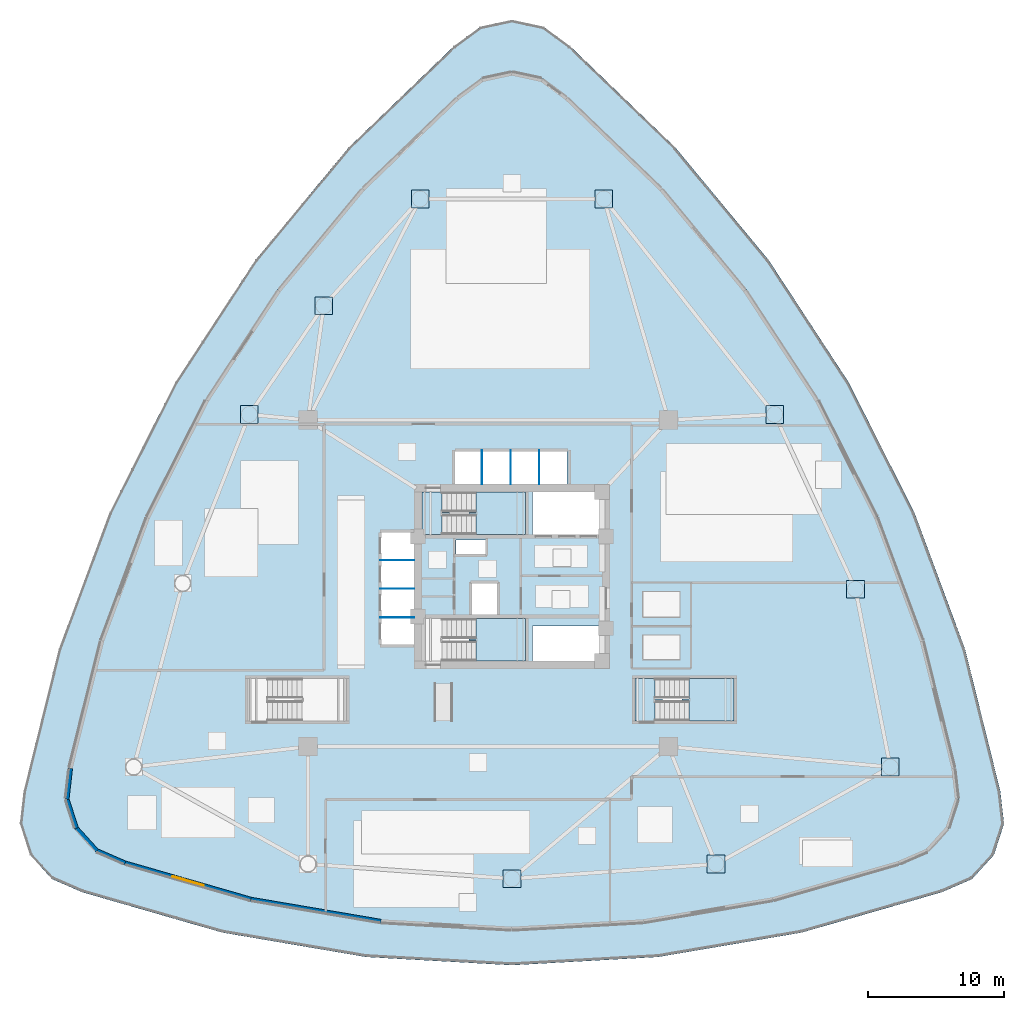
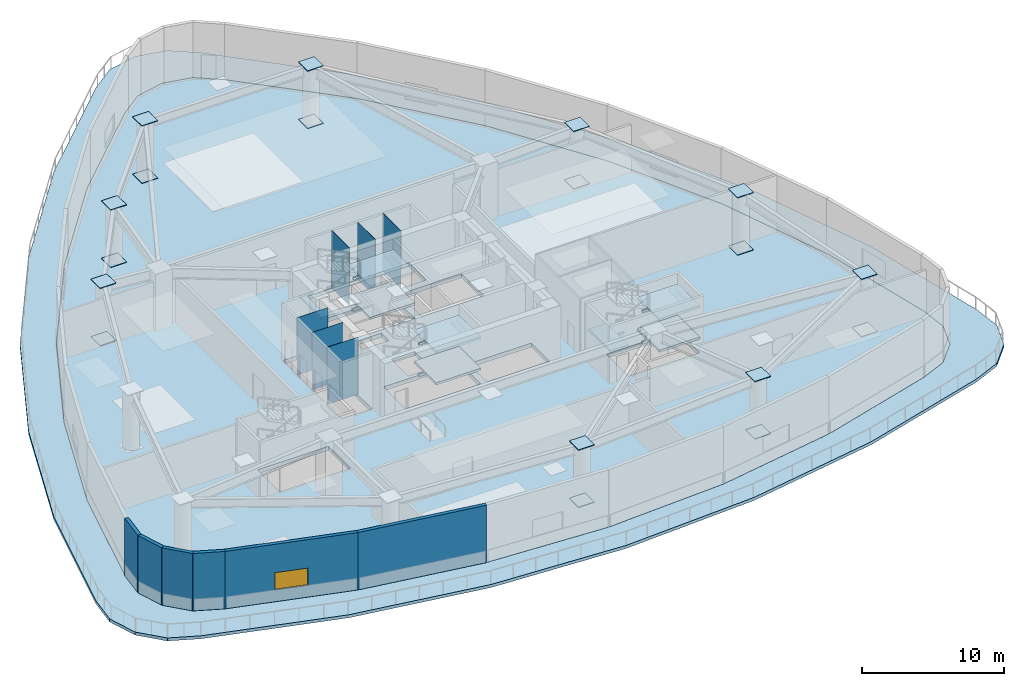
# One storey, part 2 of 13: 24 plates, 10 slabs, 6 walls, 1 window, 1 opening, 3 elements without a shape of their own.
"""IFC4 building model written with IfcOpenShell, lengths in metres."""

from ifc_helpers import new_model, si_unit, direction, frame, frame_2d, origin, origin_2d, place, context, subcontext, project, spatial, polyline, rectangle, outline, extrude, source, transform, mapped, material, layer, layer_set, type_object, type_shapes, element, fill, aggregate, save


model = new_model("IFC4")

# Units and contexts
model_context = context("Model", 3, precision=1e-05, world=origin(), true_north=direction((0.0, 1.0)))
body_context = subcontext(model_context, "Body", "Model", "MODEL_VIEW")
ifc_project = project(units=[si_unit("LENGTHUNIT", "METRE"), si_unit("AREAUNIT", "SQUARE_METRE"), si_unit("VOLUMEUNIT", "CUBIC_METRE"), si_unit("PLANEANGLEUNIT", "RADIAN"), si_unit("MASSUNIT", "GRAM", prefix="KILO")], contexts=[model_context])

# Site, building, storey
site_placement = place(None, origin())
site = spatial("IfcSite", under=ifc_project, at=site_placement, CompositionType="ELEMENT")
building_placement = place(site_placement, origin())
building = spatial("IfcBuilding", under=site, at=building_placement, Name="Tavelor Broadcast Tower", CompositionType="ELEMENT")
storey_placement = place(building_placement, frame((0.0, 0.0, 16.800048828125)))
storey = spatial("IfcBuildingStorey", under=building, at=storey_placement, Name="L03", CompositionType="ELEMENT", Elevation=16.800048828125)

# Slabs
ifc_material_1 = material(Name="Concrete C40/50", Category="concrete")
ifc_layer_1 = layer(ifc_material_1, 0.260009765625)
ifc_layer_set_1 = layer_set([ifc_layer_1], Name="Concrete C40/50")
slab_type_1 = type_object("IfcSlabType", Name="Cascading Planted Terrace Roof Slab 260 mm", PredefinedType="ROOF", material=ifc_layer_set_1)
slab_1_placement = place(storey_placement, frame((0.0, 0.0, -0.260009765625)))
element("IfcSlab", 1, at=slab_1_placement, inside=storey, type_object=slab_type_1, Name="L03 Cascading Planted Garden Terrace Slab 1", PredefinedType="ROOF", context=body_context, shape_type="SweptSolid", body=[
    extrude(outline(polyline([(54.275634765625, 83.969482421875), (52.345703125, 85.39501953125), (50.0, 85.89990234375), (47.654296875, 85.39501953125), (45.724365234375, 83.969482421875), (37.9931640625, 76.5244140625), (31.144775390625, 68.260009765625), (25.26513671875, 59.28076171875), (20.428466796875, 49.69921875), (16.695556640625, 39.635986328125), (14.113525390625, 29.218017578125), (13.843994140625, 26.833984375), (14.57958984375, 24.550048828125), (16.189697265625, 22.77099609375), (18.389404296875, 21.8125), (28.702392578125, 18.839599609375), (39.28369140625, 17.040771484375), (50.0, 16.438720703125), (60.71630859375, 17.040771484375), (71.297607421875, 18.839599609375), (81.610595703125, 21.8125), (83.810302734375, 22.77099609375), (85.42041015625, 24.550048828125), (86.156005859375, 26.833984375), (85.886474609375, 29.218017578125), (83.304443359375, 39.635986328125), (79.571533203125, 49.69921875), (74.73486328125, 59.28076171875), (68.855224609375, 68.260009765625), (62.0068359375, 76.5244140625), (54.275634765625, 83.969482421875)]), holes=[polyline([(54.0751953125, 80.23876953125), (61.04052734375, 73.53125), (67.2109375, 66.085205078125), (72.50830078125, 57.9951171875), (76.86572265625, 49.3623046875), (80.22900390625, 40.2958984375), (82.555419921875, 30.909912109375), (82.8125, 28.6357421875), (82.11181640625, 26.460205078125), (80.578125, 24.765625), (78.47998046875, 23.851318359375), (69.1884765625, 21.1728515625), (59.655029296875, 19.55224609375), (50.0, 19.009765625), (40.344970703125, 19.55224609375), (30.8115234375, 21.1728515625), (21.52001953125, 23.851318359375), (19.421875, 24.765625), (17.88818359375, 26.460205078125), (17.1875, 28.6357421875), (17.444580078125, 30.909912109375), (19.77099609375, 40.2958984375), (23.13427734375, 49.3623046875), (27.49169921875, 57.9951171875), (32.7890625, 66.085205078125), (38.95947265625, 73.53125), (45.9248046875, 80.23876953125), (47.765625, 81.598388671875), (50.0, 82.07958984375), (52.234375, 81.598388671875), (54.0751953125, 80.23876953125)])]), origin(), (0.0, 0.0, 1.0), 0.260009765625),
])
ifc_layer_2 = layer(ifc_material_1, 0.35009765625)
ifc_layer_set_2 = layer_set([ifc_layer_2], Name="Concrete C40/50")
slab_type_2 = type_object("IfcSlabType", Name="Podium Structural Floor Slab 350 mm", PredefinedType="FLOOR", material=ifc_layer_set_2)
slab_2_placement = place(storey_placement, frame((0.0, 0.0, -0.35009765625)))
element("IfcSlab", 2, at=slab_2_placement, inside=storey, type_object=slab_type_2, Name="L03 Structural Floor Slab", PredefinedType="FLOOR", context=body_context, shape_type="SweptSolid", body=[
    extrude(outline(polyline([(54.088134765625, 80.254150390625), (52.242919921875, 81.6171875), (50.0, 82.10009765625), (47.757080078125, 81.6171875), (45.911865234375, 80.254150390625), (38.944580078125, 73.544921875), (32.77294921875, 66.09716796875), (27.474609375, 58.005126953125), (23.11572265625, 49.370361328125), (19.751708984375, 40.3017578125), (17.425048828125, 30.913330078125), (17.167236328125, 28.6337890625), (17.87060546875, 26.449951171875), (19.409912109375, 24.7490234375), (21.51318359375, 23.83251953125), (30.80712890625, 21.1533203125), (40.3427734375, 19.532470703125), (50.0, 18.98974609375), (59.6572265625, 19.532470703125), (69.19287109375, 21.1533203125), (78.48681640625, 23.83251953125), (80.590087890625, 24.7490234375), (82.12939453125, 26.449951171875), (82.832763671875, 28.6337890625), (82.574951171875, 30.913330078125), (80.248291015625, 40.3017578125), (76.88427734375, 49.370361328125), (72.525390625, 58.005126953125), (67.22705078125, 66.09716796875), (61.055419921875, 73.544921875), (54.088134765625, 80.254150390625)]), holes=[polyline([(37.845947265625, 34.404052734375), (32.053955078125, 34.404052734375), (32.053955078125, 37.49609375), (37.845947265625, 37.49609375), (37.845947265625, 34.404052734375)]), polyline([(66.2958984375, 34.404052734375), (60.50390625, 34.404052734375), (60.50390625, 37.49609375), (66.2958984375, 37.49609375), (66.2958984375, 34.404052734375)]), polyline([(56.60009765625, 38.800048828125), (51.52001953125, 38.800048828125), (51.52001953125, 41.35009765625), (56.60009765625, 41.35009765625), (56.60009765625, 38.800048828125)]), polyline([(44.85400390625, 38.803955078125), (44.85400390625, 41.89599609375), (50.99609375, 41.89599609375), (50.99609375, 38.803955078125), (44.85400390625, 38.803955078125)]), polyline([(47.050048828125, 44.550048828125), (48.949951171875, 44.550048828125), (48.949951171875, 42.199951171875), (47.050048828125, 42.199951171875), (47.050048828125, 44.550048828125)]), polyline([(40.35009765625, 40.0), (40.35009765625, 48.25), (42.800048828125, 48.25), (42.800048828125, 40.0), (40.35009765625, 40.0)]), polyline([(48.050048828125, 46.64990234375), (45.89990234375, 46.64990234375), (45.89990234375, 47.699951171875), (48.050048828125, 47.699951171875), (48.050048828125, 46.64990234375)]), polyline([(50.99609375, 48.10400390625), (44.85400390625, 48.10400390625), (44.85400390625, 51.196044921875), (50.99609375, 51.196044921875), (50.99609375, 48.10400390625)]), polyline([(51.52001953125, 48.10009765625), (51.52001953125, 51.199951171875), (56.60009765625, 51.199951171875), (56.60009765625, 48.10009765625), (51.52001953125, 48.10009765625)]), polyline([(45.800048828125, 51.800048828125), (45.800048828125, 54.25), (54.050048828125, 54.25), (54.050048828125, 51.800048828125), (45.800048828125, 51.800048828125)])]), origin(), (0.0, 0.0, 1.0), 0.35009765625),
])

# Stair, slabs
stair_type = type_object("IfcStairType", Name="Reinforced Concrete Protected Dogleg Stair 1450 mm", PredefinedType="HALF_TURN_STAIR", material=ifc_material_1)
stair_1_placement = place(storey_placement, origin())
stair_1 = element("IfcStair", 3, at=stair_1_placement, inside=storey, type_object=stair_type, Name="L03 Protected Core Exit Stair ST1", PredefinedType="HALF_TURN_STAIR")
ifc_layer_3 = layer(ifc_material_1, 0.199951171875)
ifc_layer_set_3 = layer_set([ifc_layer_3], Name="Concrete C40/50")
slab_type_3 = type_object("IfcSlabType", Name="Reinforced Concrete Stair Half-Landing Slab 200 mm", PredefinedType="LANDING", material=ifc_layer_set_3)
slab_3_placement = place(storey_placement, frame((0.0, 0.0, 1.14990234375)))
slab_3 = element("IfcSlab", 4, at=slab_3_placement, type_object=slab_type_3, Name="ST1 landing 1", PredefinedType="LANDING", context=body_context, shape_type="SweptSolid", body=[
    extrude(outline(polyline([(47.364990234375, 49.590087890625), (47.364990234375, 48.094970703125), (51.0048828125, 48.094970703125), (51.0048828125, 51.205078125), (47.364990234375, 51.205078125), (47.364990234375, 49.7099609375), (46.824951171875, 49.7099609375), (46.824951171875, 49.590087890625), (47.364990234375, 49.590087890625)])), origin(), (0.0, 0.0, 1.0), 0.199951171875),
])
slab_4_placement = place(storey_placement, frame((0.0, 0.0, 2.5)))
slab_4 = element("IfcSlab", 5, at=slab_4_placement, type_object=slab_type_3, Name="ST1 landing 2", PredefinedType="LANDING", context=body_context, shape_type="SweptSolid", body=[
    extrude(outline(polyline([(43.39501953125, 48.094970703125), (44.85498046875, 48.094970703125), (44.85498046875, 49.590087890625), (45.39501953125, 49.590087890625), (45.39501953125, 49.7099609375), (44.85498046875, 49.7099609375), (44.85498046875, 51.205078125), (43.39501953125, 51.205078125), (43.39501953125, 48.094970703125)])), origin(), (0.0, 0.0, 1.0), 0.199951171875),
])
slab_5_placement = place(storey_placement, frame((0.0, 0.0, 3.849853515625)))
slab_5 = element("IfcSlab", 6, at=slab_5_placement, type_object=slab_type_3, Name="ST1 landing 3", PredefinedType="LANDING", context=body_context, shape_type="SweptSolid", body=[
    extrude(outline(polyline([(47.364990234375, 49.590087890625), (47.364990234375, 48.094970703125), (51.0048828125, 48.094970703125), (51.0048828125, 51.205078125), (47.364990234375, 51.205078125), (47.364990234375, 49.7099609375), (46.824951171875, 49.7099609375), (46.824951171875, 49.590087890625), (47.364990234375, 49.590087890625)])), origin(), (0.0, 0.0, 1.0), 0.2001953125),
])
aggregate(stair_1, [slab_3, slab_4, slab_5])

stair_2_placement = place(storey_placement, origin())
stair_2 = element("IfcStair", 7, at=stair_2_placement, inside=storey, type_object=stair_type, Name="L03 Protected Core Exit Stair ST2", PredefinedType="HALF_TURN_STAIR")
slab_6_placement = place(storey_placement, frame((0.0, 0.0, 1.14990234375)))
slab_6 = element("IfcSlab", 8, at=slab_6_placement, type_object=slab_type_3, Name="ST2 landing 1", PredefinedType="LANDING", context=body_context, shape_type="SweptSolid", body=[
    extrude(outline(polyline([(47.364990234375, 40.2900390625), (47.364990234375, 38.794921875), (51.0048828125, 38.794921875), (51.0048828125, 41.905029296875), (47.364990234375, 41.905029296875), (47.364990234375, 40.409912109375), (46.824951171875, 40.409912109375), (46.824951171875, 40.2900390625), (47.364990234375, 40.2900390625)])), origin(), (0.0, 0.0, 1.0), 0.199951171875),
])
slab_7_placement = place(storey_placement, frame((0.0, 0.0, 3.849853515625)))
slab_7 = element("IfcSlab", 9, at=slab_7_placement, type_object=slab_type_3, Name="ST2 landing 3", PredefinedType="LANDING", context=body_context, shape_type="SweptSolid", body=[
    extrude(outline(polyline([(47.364990234375, 40.2900390625), (47.364990234375, 38.794921875), (51.0048828125, 38.794921875), (51.0048828125, 41.905029296875), (47.364990234375, 41.905029296875), (47.364990234375, 40.409912109375), (46.824951171875, 40.409912109375), (46.824951171875, 40.2900390625), (47.364990234375, 40.2900390625)])), origin(), (0.0, 0.0, 1.0), 0.2001953125),
])
aggregate(stair_2, [slab_6, slab_7])

stair_3_placement = place(storey_placement, origin())
stair_3 = element("IfcStair", 10, at=stair_3_placement, inside=storey, type_object=stair_type, Name="L03 Podium East Exit Stair ST4", PredefinedType="HALF_TURN_STAIR")
slab_8_placement = place(storey_placement, frame((0.0, 0.0, 1.14990234375)))
slab_8 = element("IfcSlab", 11, at=slab_8_placement, type_object=slab_type_3, Name="ST4 landing 1", PredefinedType="LANDING", context=body_context, shape_type="SweptSolid", body=[
    extrude(outline(polyline([(63.014892578125, 35.889892578125), (63.014892578125, 34.39501953125), (66.304931640625, 34.39501953125), (66.304931640625, 37.5048828125), (63.014892578125, 37.5048828125), (63.014892578125, 36.010009765625), (62.47509765625, 36.010009765625), (62.47509765625, 35.889892578125), (63.014892578125, 35.889892578125)])), origin(), (0.0, 0.0, 1.0), 0.199951171875),
])
slab_9_placement = place(storey_placement, frame((0.0, 0.0, 2.5)))
slab_9 = element("IfcSlab", 12, at=slab_9_placement, type_object=slab_type_3, Name="ST4 landing 2", PredefinedType="LANDING", context=body_context, shape_type="SweptSolid", body=[
    extrude(outline(polyline([(59.044921875, 34.39501953125), (60.5048828125, 34.39501953125), (60.5048828125, 35.889892578125), (61.044921875, 35.889892578125), (61.044921875, 36.010009765625), (60.5048828125, 36.010009765625), (60.5048828125, 37.5048828125), (59.044921875, 37.5048828125), (59.044921875, 34.39501953125)])), origin(), (0.0, 0.0, 1.0), 0.199951171875),
])
slab_10_placement = place(storey_placement, frame((0.0, 0.0, 3.849853515625)))
slab_10 = element("IfcSlab", 13, at=slab_10_placement, type_object=slab_type_3, Name="ST4 landing 3", PredefinedType="LANDING", context=body_context, shape_type="SweptSolid", body=[
    extrude(outline(polyline([(63.014892578125, 35.889892578125), (63.014892578125, 34.39501953125), (66.304931640625, 34.39501953125), (66.304931640625, 37.5048828125), (63.014892578125, 37.5048828125), (63.014892578125, 36.010009765625), (62.47509765625, 36.010009765625), (62.47509765625, 35.889892578125), (63.014892578125, 35.889892578125)])), origin(), (0.0, 0.0, 1.0), 0.2001953125),
])
aggregate(stair_3, [slab_8, slab_9, slab_10])

# Plates
ifc_material_2 = material(Name="Steel S460", Category="steel")
ifc_layer_4 = layer(ifc_material_2, 0.050048828125)
ifc_layer_set_4 = layer_set([ifc_layer_4], Name="Steel S460")
plate_type_1 = type_object("IfcPlateType", Name="Tube Hollow-End Cap Plate KN05 700x700x50", PredefinedType="USERDEFINED", material=ifc_layer_set_4)
shared_shape_1 = source(origin(), body_context, "Body", "SweptSolid", [
    extrude(rectangle(XDim=1.299072265625, YDim=1.299072265625, at=origin_2d()), origin(), (0.0, 0.0, 1.0), 0.054931640625),
])
type_shapes(plate_type_1, [shared_shape_1])
for number, where, z_axis, x_axis, name in (
    (14, (43.247314453125, 72.7509765625, -0.02734375), (0.0, 0.0, 1.0), (1.0, 0.0, 0.0), "L03 Hollow End Cap Plate KN05 #141"),
    (15, (43.247314453125, 72.7509765625, 4.92236328125), (0.0, 0.0, 1.0), (1.0, 0.0, 0.0), "L03 Hollow End Cap Plate KN05 #142"),
    (16, (36.170166015625, 64.893310546875, -0.02734375), (0.0, 0.0, 1.0), (1.0, 0.0, 0.0), "L03 Hollow End Cap Plate KN05 #143"),
    (17, (36.170166015625, 64.893310546875, 4.92236328125), (0.0, 0.0, 1.0), (1.0, 0.0, 0.0), "L03 Hollow End Cap Plate KN05 #144"),
    (18, (30.69921875, 56.9111328125, -0.02734375), (0.0, 0.0, 1.0), (1.0, 0.0, 0.0), "L03 Hollow End Cap Plate KN05 #145"),
    (19, (30.69921875, 56.9111328125, 4.92236328125), (0.0, 0.0, 1.0), (1.0, 0.0, 0.0), "L03 Hollow End Cap Plate KN05 #146"),
    (20, (50.0, 22.800048828125, -0.02734375), (0.0, 0.0, 1.0), (1.0, 0.0, 0.0), "L03 Hollow End Cap Plate KN05 #153"),
    (21, (50.0, 22.800048828125, 4.92236328125), (0.0, 0.0, 1.0), (1.0, 0.0, 0.0), "L03 Hollow End Cap Plate KN05 #154"),
    (22, (64.98779296875, 23.87109375, -0.02734375), (0.0, 0.0, 1.0), (1.0, 0.0, 0.0), "L03 Hollow End Cap Plate KN05 #155"),
    (23, (64.98779296875, 23.87109375, 4.92236328125), (0.0, 0.0, 1.0), (1.0, 0.0, 0.0), "L03 Hollow End Cap Plate KN05 #156"),
    (24, (77.800048828125, 31.0, -0.02734375), (0.0, 0.0, 1.0), (1.0, 0.0, 0.0), "L03 Hollow End Cap Plate KN05 #157"),
    (25, (77.800048828125, 31.0, 4.92236328125), (0.0, 0.0, 1.0), (1.0, 0.0, 0.0), "L03 Hollow End Cap Plate KN05 #158"),
    (26, (75.2412109375, 44.070068359375, -0.02734375), (0.0, 0.0, 1.0), (1.0, 0.0, 0.0), "L03 Hollow End Cap Plate KN05 #159"),
    (27, (75.2412109375, 44.070068359375, 4.92236328125), (0.0, 0.0, 1.0), (1.0, 0.0, 0.0), "L03 Hollow End Cap Plate KN05 #160"),
    (28, (69.30078125, 56.9111328125, -0.02734375), (0.0, 0.0, 1.0), (1.0, 0.0, 0.0), "L03 Hollow End Cap Plate KN05 #161"),
    (29, (69.30078125, 56.9111328125, 4.92236328125), (0.0, 0.0, 1.0), (1.0, 0.0, 0.0), "L03 Hollow End Cap Plate KN05 #162"),
    (30, (56.752685546875, 72.7509765625, -0.02734375), (0.0, 0.0, 1.0), (1.0, 0.0, 0.0), "L03 Hollow End Cap Plate KN05 #163"),
    (31, (56.752685546875, 72.7509765625, 4.92236328125), (0.0, 0.0, 1.0), (1.0, 0.0, 0.0), "L03 Hollow End Cap Plate KN05 #164"),
):
    element("IfcPlate", number, at=place(storey_placement, frame(where, z_axis=z_axis, x_axis=x_axis)), inside=storey, type_object=plate_type_1, Name=name, ObjectType="CAP PLATE", PredefinedType="USERDEFINED", context=body_context, shape_type="MappedRepresentation", body=[
        mapped(shared_shape_1, transform((0.0, 0.0, 0.0), scale=1.0)),
    ])
ifc_material_3 = material(Name="Steel S355", Category="steel")
ifc_layer_5 = layer(ifc_material_3, 0.011962890625)
ifc_layer_set_5 = layer_set([ifc_layer_5], Name="Steel S355")
plate_type_2 = type_object("IfcPlateType", Name="Hoistway Steel Separator Screen 12 mm", PredefinedType="SHEET", material=ifc_layer_set_5)
shared_shape_2 = source(origin(), body_context, "Body", "SweptSolid", [
    extrude(rectangle(XDim=2.52001953125, YDim=0.02001953125, at=origin_2d()), origin(), (0.0, 0.0, 1.0), 4.949951171875),
])
for number, where, z_axis, x_axis, name in (
    (32, (41.56005859375, 42.0, 0.0), (0.0, 0.0, 1.0), (1.0, 0.0, 0.0), "L03 Low-Rise Hoistway Separator Screen 1"),
    (33, (41.56005859375, 44.10009765625, 0.0), (0.0, 0.0, 1.0), (1.0, 0.0, 0.0), "L03 Low-Rise Hoistway Separator Screen 2"),
    (34, (41.56005859375, 46.199951171875, 0.0), (0.0, 0.0, 1.0), (1.0, 0.0, 0.0), "L03 Low-Rise Hoistway Separator Screen 3"),
):
    element("IfcPlate", number, at=place(storey_placement, frame(where, z_axis=z_axis, x_axis=x_axis)), inside=storey, type_object=plate_type_2, Name=name, PredefinedType="SHEET", context=body_context, shape_type="MappedRepresentation", body=[
        mapped(shared_shape_2, transform((0.0, 0.0, 0.0), scale=1.0)),
    ])
shared_shape_3 = source(origin(), body_context, "Body", "SweptSolid", [
    extrude(rectangle(XDim=0.02001953125, YDim=2.52001953125, at=origin_2d()), origin(), (0.0, 0.0, 1.0), 4.949951171875),
])
type_shapes(plate_type_2, [shared_shape_2, shared_shape_3])
for number, where, z_axis, x_axis, name in (
    (35, (47.800048828125, 53.0400390625, 0.0), (0.0, 0.0, 1.0), (1.0, 0.0, 0.0), "L03 High-Rise Hoistway Separator Screen 1"),
    (36, (49.89990234375, 53.0400390625, 0.0), (0.0, 0.0, 1.0), (1.0, 0.0, 0.0), "L03 High-Rise Hoistway Separator Screen 2"),
    (37, (52.0, 53.0400390625, 0.0), (0.0, 0.0, 1.0), (1.0, 0.0, 0.0), "L03 High-Rise Hoistway Separator Screen 3"),
):
    element("IfcPlate", number, at=place(storey_placement, frame(where, z_axis=z_axis, x_axis=x_axis)), inside=storey, type_object=plate_type_2, Name=name, PredefinedType="SHEET", context=body_context, shape_type="MappedRepresentation", body=[
        mapped(shared_shape_3, transform((0.0, 0.0, 0.0), scale=1.0)),
    ])

# Walls
ifc_material_4 = material(Name="Precast Concrete C40/50", Category="concrete")
ifc_layer_6 = layer(ifc_material_4, 0.280029296875)
ifc_layer_set_6 = layer_set([ifc_layer_6], Name="Precast Concrete C40/50")
wall_type = type_object("IfcWallType", Name="Insulated Precast Terracotta Facade Wall 280 mm", PredefinedType="STANDARD", material=ifc_layer_set_6)
wall_1_placement = place(storey_placement, frame((17.564697265625, 30.9033203125, 0.0), z_axis=(0.0, 0.0, 1.0), x_axis=(-0.112307861703, -0.993673459543, 0.0)))
element("IfcWall", 38, at=wall_1_placement, inside=storey, type_object=wall_type, Name="L03 Precast Terracotta Facade Wall 11", PredefinedType="STANDARD", context=body_context, shape_type="SweptSolid", body=[
    extrude(rectangle(XDim=2.28466796875, YDim=0.280029296875, at=frame_2d((1.142333984375, 0.0))), origin(), (0.0, 0.0, 1.0), 4.949951171875),
])
for number, where, z_axis, x_axis, name in (
    (39, (17.30517578125, 28.662109375, 0.0), (0.0, 0.0, 1.0), (0.306504867065, -0.951869091034, 0.0), "L03 Precast Terracotta Facade Wall 12"),
    (40, (17.984619140625, 26.53271484375, 0.0), (0.0, 0.0, 1.0), (0.671017801524, -0.741441238425, 0.0), "L03 Precast Terracotta Facade Wall 13"),
):
    element("IfcWall", number, at=place(storey_placement, frame(where, z_axis=z_axis, x_axis=x_axis)), inside=storey, type_object=wall_type, Name=name, PredefinedType="STANDARD", context=body_context, shape_type="SweptSolid", body=[
        extrude(rectangle(XDim=2.263671875, YDim=0.280029296875, at=frame_2d((1.1318359375, 0.0))), origin(), (0.0, 0.0, 1.0), 4.949951171875),
    ])
wall_2_placement = place(storey_placement, frame((19.479736328125, 24.871337890625, 0.0), z_axis=(0.0, 0.0, 1.0), x_axis=(0.916735097671, -0.39949563289, 0.0)))
element("IfcWall", 41, at=wall_2_placement, inside=storey, type_object=wall_type, Name="L03 Precast Terracotta Facade Wall 14", PredefinedType="STANDARD", context=body_context, shape_type="SweptSolid", body=[
    extrude(rectangle(XDim=2.284912109375, YDim=0.280029296875, at=frame_2d((1.142578125, 0.0))), origin(), (0.0, 0.0, 1.0), 4.949951171875),
])

# Wall, opening, window
wall_3_placement = place(storey_placement, frame((21.546142578125, 23.968505859375, 0.0), z_axis=(0.0, 0.0, 1.0), x_axis=(0.960878305948, -0.276970903089, 0.0)))
wall_3 = element("IfcWall", 42, at=wall_3_placement, inside=storey, type_object=wall_type, Name="L03 Precast Terracotta Facade Wall 15", PredefinedType="STANDARD", context=body_context, shape_type="SweptSolid", body=[
    extrude(rectangle(XDim=9.685546875, YDim=0.280029296875, at=frame_2d((4.8427734375, 0.0))), origin(), (0.0, 0.0, 1.0), 4.949951171875),
])
opening_placement = place(wall_3_placement, frame((3.642578125, 0.0, 1.0)))
opening = element("IfcOpeningElement", 43, at=opening_placement, cuts=wall_3, Name="Opening WN17", PredefinedType="OPENING", context=body_context, shape_type="SweptSolid", body=[
    extrude(rectangle(XDim=2.39990234375, YDim=1.5, at=frame_2d((1.199951171875, 0.75))), frame((0.0, 0.14990234375, 0.0), z_axis=(0.0, -1.0, 0.0), x_axis=(1.0, 0.0, 0.0)), (0.0, 0.0, 1.0), 0.300048828125),
])
ifc_material_5 = material(Name="Acoustic Double Glazing 28 mm", Category="glass")
window_type = type_object("IfcWindowType", Name="Broadcast Control Clerestory Window 2400x1500", PartitioningType="SINGLE_PANEL", PredefinedType="WINDOW", material=ifc_material_5)
window_placement = place(opening_placement, origin())
window = element("IfcWindow", 44, at=window_placement, inside=storey, type_object=window_type, Name="L03 Broadcast Facade Window 15", OverallHeight=1.5, OverallWidth=2.39990234375, PartitioningType="SINGLE_PANEL", PredefinedType="WINDOW", context=body_context, shape_type="SweptSolid", body=[
    extrude(rectangle(XDim=2.39990234375, YDim=1.5, at=frame_2d((1.199951171875, 0.75))), frame((0.0, 0.030029296875, 0.0), z_axis=(0.0, -1.0, 0.0), x_axis=(1.0, 0.0, 0.0)), (0.0, 0.0, 1.0), 0.06005859375),
])
fill(opening, window)

# Wall
wall_4_placement = place(storey_placement, frame((30.823486328125, 21.29248046875, 0.0), z_axis=(0.0, 0.0, 1.0), x_axis=(0.985858844767, -0.167577857114, 0.0)))
element("IfcWall", 45, at=wall_4_placement, inside=storey, type_object=wall_type, Name="L03 Precast Terracotta Facade Wall 16", PredefinedType="STANDARD", context=body_context, shape_type="SweptSolid", body=[
    extrude(rectangle(XDim=9.686767578125, YDim=0.280029296875, at=frame_2d((4.84326171875, 0.0))), origin(), (0.0, 0.0, 1.0), 4.949951171875),
])

save(model, "model.ifc")
